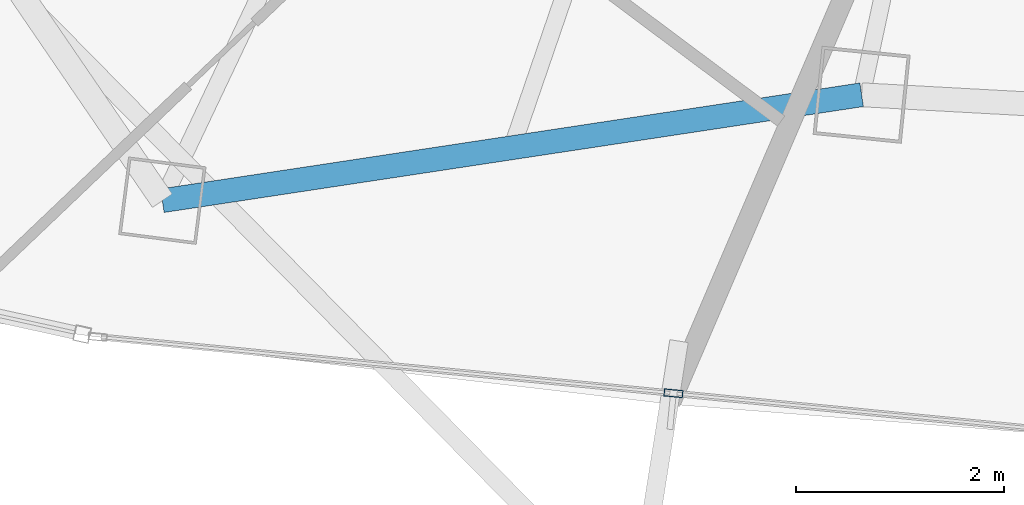
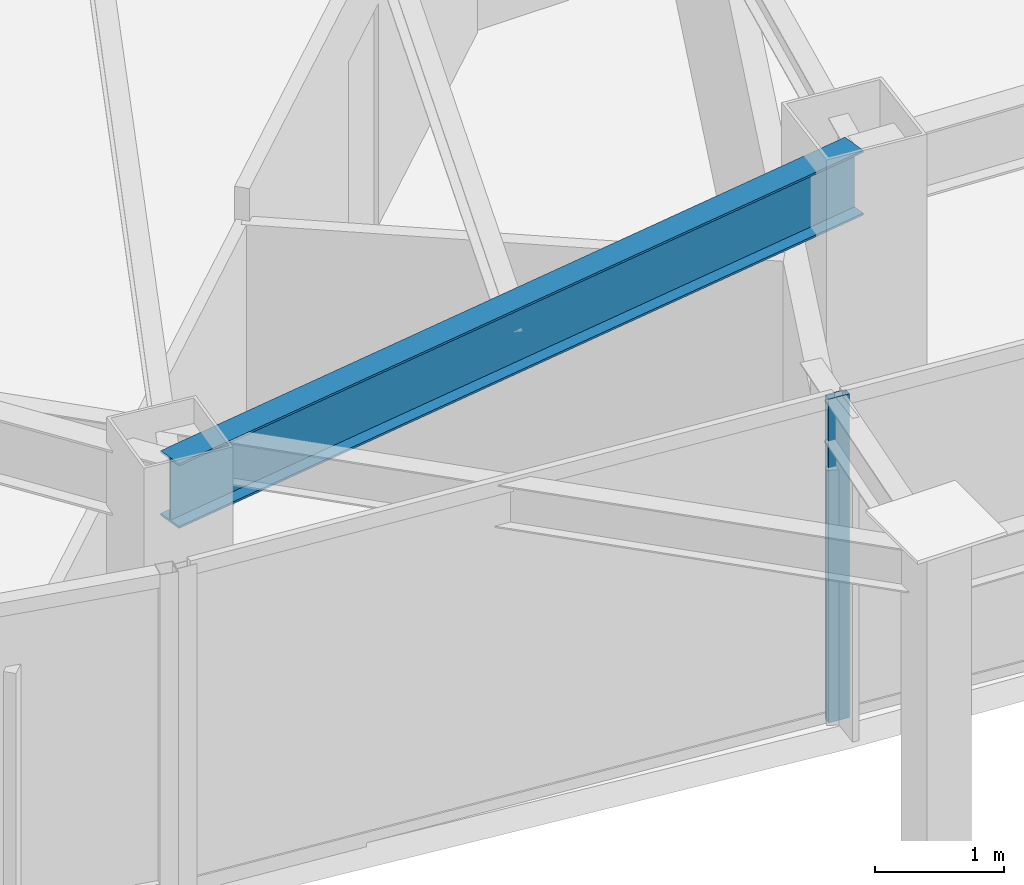
# One storey, part 4 of 29: 1 beam, 1 member, 1 element without a shape of its own.
"""IFC4 building model written with IfcOpenShell, lengths in metres."""

from ifc_helpers import new_model, si_unit, direction, frame, origin, origin_2d, place, context, subcontext, project, spatial, hollow_rectangle, i_section, extrude, material, layer, layer_set, material_profile, profile_set, type_object, element, aggregate, save


model = new_model("IFC4")

# Units and contexts
model_context = context("Model", 3, precision=1e-05, world=origin(), true_north=direction((0.0, 1.0)))
body_context = subcontext(model_context, "Body", "Model", "MODEL_VIEW")
ifc_project = project(units=[si_unit("LENGTHUNIT", "METRE"), si_unit("AREAUNIT", "SQUARE_METRE"), si_unit("VOLUMEUNIT", "CUBIC_METRE"), si_unit("PLANEANGLEUNIT", "RADIAN"), si_unit("MASSUNIT", "GRAM", prefix="KILO")], contexts=[model_context])

# Site, building, storey
site_placement = place(None, origin())
site = spatial("IfcSite", under=ifc_project, at=site_placement, CompositionType="ELEMENT")
building_placement = place(site_placement, origin())
building = spatial("IfcBuilding", under=site, at=building_placement, Name="Orvanel Arch Residences", CompositionType="ELEMENT")
storey_placement = place(building_placement, frame((0.0, 0.0, 177.050048828125)))
storey = spatial("IfcBuildingStorey", under=building, at=storey_placement, Name="L50", CompositionType="ELEMENT", Elevation=177.050048828125)

# Curtain wall, member
ifc_material_1 = material(Name="Bronze-anodised aluminium AA6063-T6", Category="aluminium")
ifc_layer = layer(ifc_material_1, 0.179931640625)
ifc_layer_set = layer_set([ifc_layer], Name="Bronze-anodised aluminium AA6063-T6")
curtain_wall_type = type_object("IfcCurtainWallType", Name="CW3-MID-SYS", PredefinedType="NOTDEFINED", material=ifc_layer_set)
curtain_wall_placement = place(storey_placement, origin())
curtain_wall = element("IfcCurtainWall", 1, at=curtain_wall_placement, inside=storey, type_object=curtain_wall_type, Name="L50 CW3-MID-SYS Unitised Curtain Wall", PredefinedType="NOTDEFINED")
ifc_material_profile_1 = material_profile(ifc_material_1, hollow_rectangle(XDim=0.070068359375, YDim=0.179931640625, WallThickness=0.00439453125, at=origin_2d()), Name="ALU180x70x4.5")
ifc_profile_set_1 = profile_set([ifc_material_profile_1], Name="Bronze-anodised aluminium AA6063-T6")
member_type = type_object("IfcMemberType", Name="MUL-180x70", PredefinedType="MULLION", material=ifc_profile_set_1)
member_placement = place(storey_placement, frame((21.843505859375, 4.491455078125, 0.0), z_axis=(0.0, 0.0, 1.0), x_axis=(0.097491445455, 0.995236362912, 0.0)))
member = element("IfcMember", 2, at=member_placement, type_object=member_type, Name="CW-S3 mullion 2", PredefinedType="MULLION", context=body_context, shape_type="SweptSolid", body=[
    extrude(hollow_rectangle(XDim=0.070068359375, YDim=0.179931640625, WallThickness=0.00439453125, at=origin_2d()), origin(), (0.0, 0.0, 1.0), 3.06005859375),
])
aggregate(curtain_wall, [member])

# Beam
ifc_material_2 = material(Name="Structural steel AS/NZS 3679.1 Grade 300 (300 MPa)", Category="steel")
ifc_material_profile_2 = material_profile(ifc_material_2, i_section(OverallWidth=0.22900390625, OverallDepth=0.612060546875, WebThickness=0.011962890625, FlangeThickness=0.01953125, at=origin_2d()), Name="610UB125")
ifc_profile_set_2 = profile_set([ifc_material_profile_2], Name="Structural steel AS/NZS 3679.1 Grade 300 (300 MPa)")
beam_type = type_object("IfcBeamType", Name="SP-610UB", PredefinedType="SPANDREL", material=ifc_profile_set_2)
beam_placement = place(storey_placement, frame((16.94091796875, 6.339111328125, 2.75390625), z_axis=(0.988726323014, 0.149733958002, 0.0), x_axis=(-0.149733958002, 0.988726323014, 0.0)))
element("IfcBeam", 3, at=beam_placement, inside=storey, type_object=beam_type, Name="L50 Perimeter Spandrel Beam 04", PredefinedType="SPANDREL", context=body_context, shape_type="SweptSolid", body=[
    extrude(i_section(OverallWidth=0.22900390625, OverallDepth=0.612060546875, WebThickness=0.011962890625, FlangeThickness=0.01953125, at=origin_2d()), origin(), (0.0, 0.0, 1.0), 6.784423828125),
])

save(model, "model.ifc")
